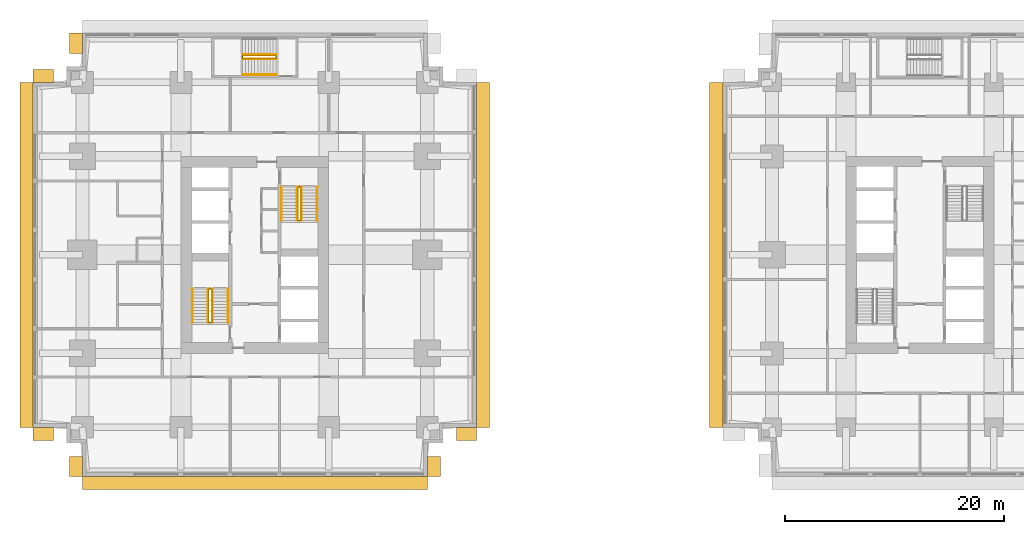
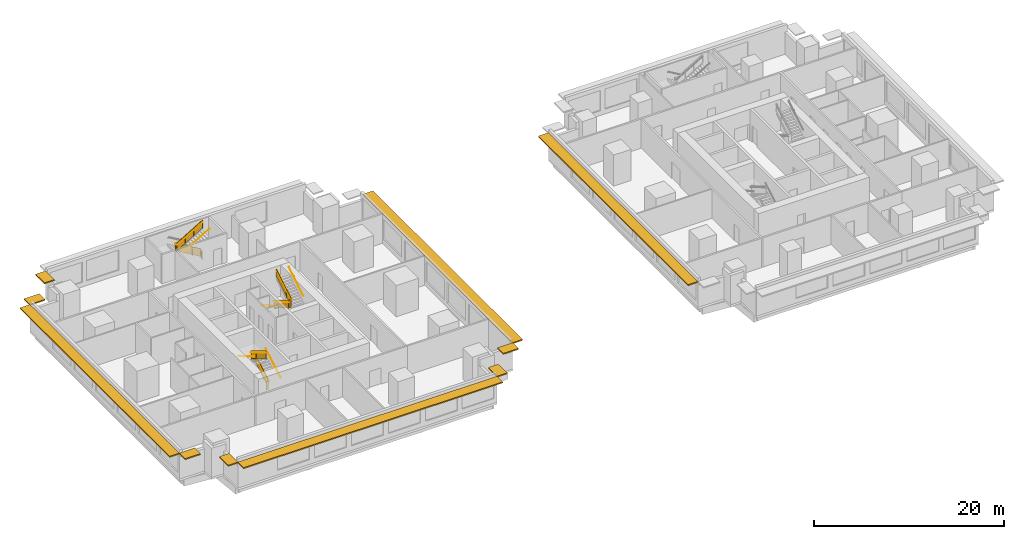
# One storey, part 9 of 11: 14 railings, 10 shading devices.
"""IFC4 building model written with IfcOpenShell, lengths in metres."""

from ifc_helpers import new_model, si_unit, direction, frame, origin, origin_2d, place, context, subcontext, project, spatial, polyline, rectangle, circle, outline, extrude, material, layer, layer_set, type_object, element, save


model = new_model("IFC4")

# Units and contexts
model_context = context("Model", 3, precision=1e-05, world=origin(), true_north=direction((0.0, 1.0)))
body_context = subcontext(model_context, "Body", "Model", "MODEL_VIEW")
ifc_project = project(units=[si_unit("LENGTHUNIT", "METRE"), si_unit("AREAUNIT", "SQUARE_METRE"), si_unit("VOLUMEUNIT", "CUBIC_METRE"), si_unit("PLANEANGLEUNIT", "RADIAN"), si_unit("MASSUNIT", "GRAM", prefix="KILO")], contexts=[model_context])

# Site, building, storey
site_placement = place(None, origin())
site = spatial("IfcSite", under=ifc_project, at=site_placement, CompositionType="ELEMENT")
building_placement = place(site_placement, origin())
building = spatial("IfcBuilding", under=site, at=building_placement, Name="Namib Vertical Campus", CompositionType="ELEMENT")
storey_placement = place(building_placement, frame((0.0, 0.0, 61.0)))
storey = spatial("IfcBuildingStorey", under=building, at=storey_placement, Name="L14", CompositionType="ELEMENT", Elevation=61.0)

# Railings
ifc_material_1 = material(Name="Steel handrail", Category="steel")
railing_type_1 = type_object("IfcRailingType", Name="Handrail 900", PredefinedType="HANDRAIL", material=ifc_material_1)
railing_1_placement = place(storey_placement, frame((17.800048828125, 14.050048828125, 0.166748046875)))
element("IfcRailing", 1, at=railing_1_placement, inside=storey, type_object=railing_type_1, Name="Handrail HR1 A-S1 L14 1", PredefinedType="HANDRAIL", context=body_context, shape_type="SweptSolid", body=[
    extrude(circle(Radius=0.02392578125, at=origin_2d()), frame((0.0, 0.0, 0.8759765625), z_axis=(0.0, 0.859290745958, 0.51148745235), x_axis=(-1.0, 0.0, 0.0)), (0.0, 0.0, 1.0), 3.584228515625),
    extrude(circle(Radius=0.008056640625, at=origin_2d()), frame((0.0, 0.0, 0.8759765625), z_axis=(1.0, 0.0, 0.0), x_axis=(0.0, 0.0, 1.0)), (0.0, 0.0, 1.0), 0.050048828125),
    extrude(circle(Radius=0.008056640625, at=origin_2d()), frame((0.0, 1.026611328125, 1.48681640625), z_axis=(1.0, 0.0, 0.0), x_axis=(0.0, 0.0, 1.0)), (0.0, 0.0, 1.0), 0.050048828125),
    extrude(circle(Radius=0.008056640625, at=origin_2d()), frame((0.0, 2.05322265625, 2.09814453125), z_axis=(1.0, 0.0, 0.0), x_axis=(0.0, 0.0, 1.0)), (0.0, 0.0, 1.0), 0.050048828125),
    extrude(circle(Radius=0.008056640625, at=origin_2d()), frame((0.0, 3.079833984375, 2.708984375), z_axis=(1.0, 0.0, 0.0), x_axis=(0.0, 0.0, 1.0)), (0.0, 0.0, 1.0), 0.050048828125),
])
railing_2_placement = place(storey_placement, frame((14.550048828125, 17.1298828125, 2.166748046875)))
element("IfcRailing", 2, at=railing_2_placement, inside=storey, type_object=railing_type_1, Name="Handrail HR1 A-S1 L14 2", PredefinedType="HANDRAIL", context=body_context, shape_type="SweptSolid", body=[
    extrude(circle(Radius=0.02392578125, at=origin_2d()), frame((0.0, 0.0, 0.8759765625), z_axis=(0.0, -0.859290745958, 0.51148745235), x_axis=(1.0, 0.0, 0.0)), (0.0, 0.0, 1.0), 3.584228515625),
    extrude(circle(Radius=0.008056640625, at=origin_2d()), frame((0.0, 0.0, 0.8759765625), z_axis=(-1.0, 0.0, 0.0), x_axis=(0.0, 0.0, 1.0)), (0.0, 0.0, 1.0), 0.050048828125),
    extrude(circle(Radius=0.008056640625, at=origin_2d()), frame((0.0, -1.026611328125, 1.48681640625), z_axis=(-1.0, 0.0, 0.0), x_axis=(0.0, 0.0, 1.0)), (0.0, 0.0, 1.0), 0.050048828125),
    extrude(circle(Radius=0.008056640625, at=origin_2d()), frame((0.0, -2.05322265625, 2.09814453125), z_axis=(-1.0, 0.0, 0.0), x_axis=(0.0, 0.0, 1.0)), (0.0, 0.0, 1.0), 0.050048828125),
    extrude(circle(Radius=0.008056640625, at=origin_2d()), frame((0.0, -3.079833984375, 2.708984375), z_axis=(-1.0, 0.0, 0.0), x_axis=(0.0, 0.0, 1.0)), (0.0, 0.0, 1.0), 0.050048828125),
])
railing_3_placement = place(storey_placement, frame((16.375, 14.050048828125, 0.166748046875)))
element("IfcRailing", 3, at=railing_3_placement, inside=storey, type_object=railing_type_1, Name="Handrail HR1 A-S1 L14 1 at the well", PredefinedType="HANDRAIL", context=body_context, shape_type="SweptSolid", body=[
    extrude(circle(Radius=0.02392578125, at=origin_2d()), frame((0.0, 0.0, 0.8759765625), z_axis=(0.0, 0.859290745958, 0.51148745235), x_axis=(-1.0, 0.0, 0.0)), (0.0, 0.0, 1.0), 3.584228515625),
    extrude(circle(Radius=0.008056640625, at=origin_2d()), frame((0.0, 0.0, 0.8759765625), z_axis=(-1.0, 0.0, 0.0), x_axis=(0.0, 0.0, 1.0)), (0.0, 0.0, 1.0), 0.0400390625),
    extrude(circle(Radius=0.008056640625, at=origin_2d()), frame((0.0, 1.026611328125, 1.48681640625), z_axis=(-1.0, 0.0, 0.0), x_axis=(0.0, 0.0, 1.0)), (0.0, 0.0, 1.0), 0.0400390625),
    extrude(circle(Radius=0.008056640625, at=origin_2d()), frame((0.0, 2.05322265625, 2.09814453125), z_axis=(-1.0, 0.0, 0.0), x_axis=(0.0, 0.0, 1.0)), (0.0, 0.0, 1.0), 0.0400390625),
    extrude(circle(Radius=0.008056640625, at=origin_2d()), frame((0.0, 3.079833984375, 2.708984375), z_axis=(-1.0, 0.0, 0.0), x_axis=(0.0, 0.0, 1.0)), (0.0, 0.0, 1.0), 0.0400390625),
])
railing_4_placement = place(storey_placement, frame((15.97509765625, 17.1298828125, 2.166748046875)))
element("IfcRailing", 4, at=railing_4_placement, inside=storey, type_object=railing_type_1, Name="Handrail HR1 A-S1 L14 2 at the well", PredefinedType="HANDRAIL", context=body_context, shape_type="SweptSolid", body=[
    extrude(circle(Radius=0.02392578125, at=origin_2d()), frame((0.0, 0.0, 0.8759765625), z_axis=(0.0, -0.859290745958, 0.51148745235), x_axis=(1.0, 0.0, 0.0)), (0.0, 0.0, 1.0), 3.584228515625),
    extrude(circle(Radius=0.008056640625, at=origin_2d()), frame((0.0, 0.0, 0.8759765625), z_axis=(1.0, 0.0, 0.0), x_axis=(0.0, 0.0, 1.0)), (0.0, 0.0, 1.0), 0.0400390625),
    extrude(circle(Radius=0.008056640625, at=origin_2d()), frame((0.0, -1.026611328125, 1.48681640625), z_axis=(1.0, 0.0, 0.0), x_axis=(0.0, 0.0, 1.0)), (0.0, 0.0, 1.0), 0.0400390625),
    extrude(circle(Radius=0.008056640625, at=origin_2d()), frame((0.0, -2.05322265625, 2.09814453125), z_axis=(1.0, 0.0, 0.0), x_axis=(0.0, 0.0, 1.0)), (0.0, 0.0, 1.0), 0.0400390625),
    extrude(circle(Radius=0.008056640625, at=origin_2d()), frame((0.0, -3.079833984375, 2.708984375), z_axis=(1.0, 0.0, 0.0), x_axis=(0.0, 0.0, 1.0)), (0.0, 0.0, 1.0), 0.0400390625),
])
railing_5_placement = place(storey_placement, frame((22.699951171875, 26.449951171875, 0.166748046875)))
element("IfcRailing", 5, at=railing_5_placement, inside=storey, type_object=railing_type_1, Name="Handrail HR1 A-S2 L14 1", PredefinedType="HANDRAIL", context=body_context, shape_type="SweptSolid", body=[
    extrude(circle(Radius=0.02392578125, at=origin_2d()), frame((0.0, 0.0, 0.8759765625), z_axis=(0.0, -0.859290745958, 0.51148745235), x_axis=(1.0, 0.0, 0.0)), (0.0, 0.0, 1.0), 3.584228515625),
    extrude(circle(Radius=0.008056640625, at=origin_2d()), frame((0.0, 0.0, 0.8759765625), z_axis=(-1.0, 0.0, 0.0), x_axis=(0.0, 0.0, 1.0)), (0.0, 0.0, 1.0), 0.050048828125),
    extrude(circle(Radius=0.008056640625, at=origin_2d()), frame((0.0, -1.026611328125, 1.48681640625), z_axis=(-1.0, 0.0, 0.0), x_axis=(0.0, 0.0, 1.0)), (0.0, 0.0, 1.0), 0.050048828125),
    extrude(circle(Radius=0.008056640625, at=origin_2d()), frame((0.0, -2.05322265625, 2.09814453125), z_axis=(-1.0, 0.0, 0.0), x_axis=(0.0, 0.0, 1.0)), (0.0, 0.0, 1.0), 0.050048828125),
    extrude(circle(Radius=0.008056640625, at=origin_2d()), frame((0.0, -3.079833984375, 2.708984375), z_axis=(-1.0, 0.0, 0.0), x_axis=(0.0, 0.0, 1.0)), (0.0, 0.0, 1.0), 0.050048828125),
])
railing_6_placement = place(storey_placement, frame((25.949951171875, 23.3701171875, 2.166748046875)))
element("IfcRailing", 6, at=railing_6_placement, inside=storey, type_object=railing_type_1, Name="Handrail HR1 A-S2 L14 2", PredefinedType="HANDRAIL", context=body_context, shape_type="SweptSolid", body=[
    extrude(circle(Radius=0.02392578125, at=origin_2d()), frame((0.0, 0.0, 0.8759765625), z_axis=(0.0, 0.859290745958, 0.51148745235), x_axis=(-1.0, 0.0, 0.0)), (0.0, 0.0, 1.0), 3.584228515625),
    extrude(circle(Radius=0.008056640625, at=origin_2d()), frame((0.0, 0.0, 0.8759765625), z_axis=(1.0, 0.0, 0.0), x_axis=(0.0, 0.0, 1.0)), (0.0, 0.0, 1.0), 0.050048828125),
    extrude(circle(Radius=0.008056640625, at=origin_2d()), frame((0.0, 1.026611328125, 1.48681640625), z_axis=(1.0, 0.0, 0.0), x_axis=(0.0, 0.0, 1.0)), (0.0, 0.0, 1.0), 0.050048828125),
    extrude(circle(Radius=0.008056640625, at=origin_2d()), frame((0.0, 2.05322265625, 2.09814453125), z_axis=(1.0, 0.0, 0.0), x_axis=(0.0, 0.0, 1.0)), (0.0, 0.0, 1.0), 0.050048828125),
    extrude(circle(Radius=0.008056640625, at=origin_2d()), frame((0.0, 3.079833984375, 2.708984375), z_axis=(1.0, 0.0, 0.0), x_axis=(0.0, 0.0, 1.0)), (0.0, 0.0, 1.0), 0.050048828125),
])
railing_7_placement = place(storey_placement, frame((24.125, 26.449951171875, 0.166748046875)))
element("IfcRailing", 7, at=railing_7_placement, inside=storey, type_object=railing_type_1, Name="Handrail HR1 A-S2 L14 1 at the well", PredefinedType="HANDRAIL", context=body_context, shape_type="SweptSolid", body=[
    extrude(circle(Radius=0.02392578125, at=origin_2d()), frame((0.0, 0.0, 0.8759765625), z_axis=(0.0, -0.859290745958, 0.51148745235), x_axis=(1.0, 0.0, 0.0)), (0.0, 0.0, 1.0), 3.584228515625),
    extrude(circle(Radius=0.008056640625, at=origin_2d()), frame((0.0, 0.0, 0.8759765625), z_axis=(1.0, 0.0, 0.0), x_axis=(0.0, 0.0, 1.0)), (0.0, 0.0, 1.0), 0.0400390625),
    extrude(circle(Radius=0.008056640625, at=origin_2d()), frame((0.0, -1.026611328125, 1.48681640625), z_axis=(1.0, 0.0, 0.0), x_axis=(0.0, 0.0, 1.0)), (0.0, 0.0, 1.0), 0.0400390625),
    extrude(circle(Radius=0.008056640625, at=origin_2d()), frame((0.0, -2.05322265625, 2.09814453125), z_axis=(1.0, 0.0, 0.0), x_axis=(0.0, 0.0, 1.0)), (0.0, 0.0, 1.0), 0.0400390625),
    extrude(circle(Radius=0.008056640625, at=origin_2d()), frame((0.0, -3.079833984375, 2.708984375), z_axis=(1.0, 0.0, 0.0), x_axis=(0.0, 0.0, 1.0)), (0.0, 0.0, 1.0), 0.0400390625),
])
railing_8_placement = place(storey_placement, frame((24.52490234375, 23.3701171875, 2.166748046875)))
element("IfcRailing", 8, at=railing_8_placement, inside=storey, type_object=railing_type_1, Name="Handrail HR1 A-S2 L14 2 at the well", PredefinedType="HANDRAIL", context=body_context, shape_type="SweptSolid", body=[
    extrude(circle(Radius=0.02392578125, at=origin_2d()), frame((0.0, 0.0, 0.8759765625), z_axis=(0.0, 0.859290745958, 0.51148745235), x_axis=(-1.0, 0.0, 0.0)), (0.0, 0.0, 1.0), 3.584228515625),
    extrude(circle(Radius=0.008056640625, at=origin_2d()), frame((0.0, 0.0, 0.8759765625), z_axis=(-1.0, 0.0, 0.0), x_axis=(0.0, 0.0, 1.0)), (0.0, 0.0, 1.0), 0.0400390625),
    extrude(circle(Radius=0.008056640625, at=origin_2d()), frame((0.0, 1.026611328125, 1.48681640625), z_axis=(-1.0, 0.0, 0.0), x_axis=(0.0, 0.0, 1.0)), (0.0, 0.0, 1.0), 0.0400390625),
    extrude(circle(Radius=0.008056640625, at=origin_2d()), frame((0.0, 2.05322265625, 2.09814453125), z_axis=(-1.0, 0.0, 0.0), x_axis=(0.0, 0.0, 1.0)), (0.0, 0.0, 1.0), 0.0400390625),
    extrude(circle(Radius=0.008056640625, at=origin_2d()), frame((0.0, 3.079833984375, 2.708984375), z_axis=(-1.0, 0.0, 0.0), x_axis=(0.0, 0.0, 1.0)), (0.0, 0.0, 1.0), 0.0400390625),
])
railing_9_placement = place(storey_placement, frame((19.1201171875, 36.699951171875, 2.166748046875)))
element("IfcRailing", 9, at=railing_9_placement, inside=storey, type_object=railing_type_1, Name="Handrail HR1 A-S3 L14 2", PredefinedType="HANDRAIL", context=body_context, shape_type="SweptSolid", body=[
    extrude(circle(Radius=0.02392578125, at=origin_2d()), frame((0.0, 0.0, 0.8759765625), z_axis=(0.859290745958, 0.0, 0.51148745235), x_axis=(0.0, 1.0, 0.0)), (0.0, 0.0, 1.0), 3.584228515625),
    extrude(circle(Radius=0.008056640625, at=origin_2d()), frame((0.0, 0.0, 0.8759765625), z_axis=(0.0, -1.0, 0.0), x_axis=(0.0, 0.0, 1.0)), (0.0, 0.0, 1.0), 0.050048828125),
    extrude(circle(Radius=0.008056640625, at=origin_2d()), frame((1.026611328125, 0.0, 1.48681640625), z_axis=(0.0, -1.0, 0.0), x_axis=(0.0, 0.0, 1.0)), (0.0, 0.0, 1.0), 0.050048828125),
    extrude(circle(Radius=0.008056640625, at=origin_2d()), frame((2.05322265625, 0.0, 2.09814453125), z_axis=(0.0, -1.0, 0.0), x_axis=(0.0, 0.0, 1.0)), (0.0, 0.0, 1.0), 0.050048828125),
    extrude(circle(Radius=0.008056640625, at=origin_2d()), frame((3.079833984375, 0.0, 2.708984375), z_axis=(0.0, -1.0, 0.0), x_axis=(0.0, 0.0, 1.0)), (0.0, 0.0, 1.0), 0.050048828125),
])
railing_10_placement = place(storey_placement, frame((22.199951171875, 38.52490234375, 0.166748046875)))
element("IfcRailing", 10, at=railing_10_placement, inside=storey, type_object=railing_type_1, Name="Handrail HR1 A-S3 L14 1 at the well", PredefinedType="HANDRAIL", context=body_context, shape_type="SweptSolid", body=[
    extrude(circle(Radius=0.02392578125, at=origin_2d()), frame((0.0, 0.0, 0.8759765625), z_axis=(-0.859290745958, 0.0, 0.51148745235), x_axis=(0.0, -1.0, 0.0)), (0.0, 0.0, 1.0), 3.584228515625),
    extrude(circle(Radius=0.008056640625, at=origin_2d()), frame((0.0, 0.0, 0.8759765625), z_axis=(0.0, -1.0, 0.0), x_axis=(0.0, 0.0, 1.0)), (0.0, 0.0, 1.0), 0.0400390625),
    extrude(circle(Radius=0.008056640625, at=origin_2d()), frame((-1.026611328125, 0.0, 1.48681640625), z_axis=(0.0, -1.0, 0.0), x_axis=(0.0, 0.0, 1.0)), (0.0, 0.0, 1.0), 0.0400390625),
    extrude(circle(Radius=0.008056640625, at=origin_2d()), frame((-2.05322265625, 0.0, 2.09814453125), z_axis=(0.0, -1.0, 0.0), x_axis=(0.0, 0.0, 1.0)), (0.0, 0.0, 1.0), 0.0400390625),
    extrude(circle(Radius=0.008056640625, at=origin_2d()), frame((-3.079833984375, 0.0, 2.708984375), z_axis=(0.0, -1.0, 0.0), x_axis=(0.0, 0.0, 1.0)), (0.0, 0.0, 1.0), 0.0400390625),
])
railing_11_placement = place(storey_placement, frame((19.1201171875, 38.125, 2.166748046875)))
element("IfcRailing", 11, at=railing_11_placement, inside=storey, type_object=railing_type_1, Name="Handrail HR1 A-S3 L14 2 at the well", PredefinedType="HANDRAIL", context=body_context, shape_type="SweptSolid", body=[
    extrude(circle(Radius=0.02392578125, at=origin_2d()), frame((0.0, 0.0, 0.8759765625), z_axis=(0.859290745958, 0.0, 0.51148745235), x_axis=(0.0, 1.0, 0.0)), (0.0, 0.0, 1.0), 3.584228515625),
    extrude(circle(Radius=0.008056640625, at=origin_2d()), frame((0.0, 0.0, 0.8759765625), z_axis=(0.0, 1.0, 0.0), x_axis=(0.0, 0.0, 1.0)), (0.0, 0.0, 1.0), 0.0400390625),
    extrude(circle(Radius=0.008056640625, at=origin_2d()), frame((1.026611328125, 0.0, 1.48681640625), z_axis=(0.0, 1.0, 0.0), x_axis=(0.0, 0.0, 1.0)), (0.0, 0.0, 1.0), 0.0400390625),
    extrude(circle(Radius=0.008056640625, at=origin_2d()), frame((2.05322265625, 0.0, 2.09814453125), z_axis=(0.0, 1.0, 0.0), x_axis=(0.0, 0.0, 1.0)), (0.0, 0.0, 1.0), 0.0400390625),
    extrude(circle(Radius=0.008056640625, at=origin_2d()), frame((3.079833984375, 0.0, 2.708984375), z_axis=(0.0, 1.0, 0.0), x_axis=(0.0, 0.0, 1.0)), (0.0, 0.0, 1.0), 0.0400390625),
])
ifc_material_2 = material(Name="Steel balustrade", Category="steel")
railing_type_2 = type_object("IfcRailingType", Name="Stair guard 1100", PredefinedType="GUARDRAIL", material=ifc_material_2)
railing_12_placement = place(storey_placement, frame((16.02490234375, 14.050048828125, 0.0)))
element("IfcRailing", 12, at=railing_12_placement, inside=storey, type_object=railing_type_2, Name="Stair guard GR1 A-S1 L14", PredefinedType="GUARDRAIL", context=body_context, shape_type="SweptSolid", body=[
    extrude(circle(Radius=0.02392578125, at=origin_2d()), frame((0.0, 0.0, 1.076171875), z_axis=(1.0, 0.0, 0.0), x_axis=(0.0, 1.0, 0.0)), (0.0, 0.0, 1.0), 0.300048828125),
    extrude(outline(polyline([(0.02099609375, 0.050048828125), (0.279052734375, 0.050048828125), (0.279052734375, 1.052001953125), (0.02099609375, 1.052001953125), (0.02099609375, 0.050048828125)])), frame((0.0, 0.010009765625, 0.0), z_axis=(0.0, -1.0, 0.0), x_axis=(1.0, 0.0, 0.0)), (0.0, 0.0, 1.0), 0.02001953125),
    extrude(circle(Radius=0.02392578125, at=origin_2d()), frame((0.300048828125, 0.0, 1.076171875), z_axis=(0.0, 0.0, 1.0), x_axis=(1.0, 0.0, 0.0)), (0.0, 0.0, 1.0), 0.166748046875),
    extrude(circle(Radius=0.02392578125, at=origin_2d()), frame((0.300048828125, 0.0, 1.24267578125), z_axis=(0.0, 0.859290745958, 0.51148745235), x_axis=(-1.0, 0.0, 0.0)), (0.0, 0.0, 1.0), 3.584228515625),
    extrude(outline(polyline([(0.02099609375, 0.0625), (3.058837890625, 1.870849609375), (3.058837890625, 2.872802734375), (0.02099609375, 1.064453125), (0.02099609375, 0.0625)])), frame((0.2900390625, 0.0, 0.166748046875), z_axis=(1.0, 0.0, 0.0), x_axis=(0.0, 1.0, 0.0)), (0.0, 0.0, 1.0), 0.02001953125),
    extrude(circle(Radius=0.02392578125, at=origin_2d()), frame((0.300048828125, 3.079833984375, 3.076171875), z_axis=(-1.0, 0.0, 0.0), x_axis=(0.0, -1.0, 0.0)), (0.0, 0.0, 1.0), 0.300048828125),
    extrude(outline(polyline([(0.02099609375, 0.050048828125), (0.279052734375, 0.050048828125), (0.279052734375, 1.052001953125), (0.02099609375, 1.052001953125), (0.02099609375, 0.050048828125)])), frame((0.300048828125, 3.06982421875, 2.0), z_axis=(0.0, 1.0, 0.0), x_axis=(-1.0, 0.0, 0.0)), (0.0, 0.0, 1.0), 0.02001953125),
    extrude(circle(Radius=0.02392578125, at=origin_2d()), frame((0.0, 3.079833984375, 3.076171875), z_axis=(0.0, 0.0, 1.0), x_axis=(1.0, 0.0, 0.0)), (0.0, 0.0, 1.0), 0.166748046875),
    extrude(circle(Radius=0.02392578125, at=origin_2d()), frame((0.0, 3.079833984375, 3.24267578125), z_axis=(0.0, -0.859290745958, 0.51148745235), x_axis=(1.0, 0.0, 0.0)), (0.0, 0.0, 1.0), 3.584228515625),
    extrude(outline(polyline([(0.02099609375, 0.0625), (3.058837890625, 1.870849609375), (3.058837890625, 2.872802734375), (0.02099609375, 1.064453125), (0.02099609375, 0.0625)])), frame((0.010009765625, 3.079833984375, 2.166748046875), z_axis=(-1.0, 0.0, 0.0), x_axis=(0.0, -1.0, 0.0)), (0.0, 0.0, 1.0), 0.02001953125),
    extrude(circle(Radius=0.02392578125, at=origin_2d()), frame((0.0, 0.0, 5.076171875), z_axis=(0.0, -1.0, 0.0), x_axis=(1.0, 0.0, 0.0)), (0.0, 0.0, 1.0), 0.050048828125),
    extrude(outline(polyline([(0.02099609375, 0.050048828125), (0.029052734375, 0.050048828125), (0.029052734375, 1.052001953125), (0.02099609375, 1.052001953125), (0.02099609375, 0.050048828125)])), frame((0.010009765625, 0.0, 4.0), z_axis=(-1.0, 0.0, 0.0), x_axis=(0.0, -1.0, 0.0)), (0.0, 0.0, 1.0), 0.02001953125),
    extrude(circle(Radius=0.02099609375, at=origin_2d()), origin(), (0.0, 0.0, 1.0), 1.052001953125),
    extrude(circle(Radius=0.02099609375, at=origin_2d()), frame((0.300048828125, 0.0, 0.166748046875)), (0.0, 0.0, 1.0), 1.052001953125),
    extrude(circle(Radius=0.02099609375, at=origin_2d()), frame((0.300048828125, 1.026611328125, 0.666748046875)), (0.0, 0.0, 1.0), 1.1630859375),
    extrude(circle(Radius=0.02099609375, at=origin_2d()), frame((0.300048828125, 2.05322265625, 1.33349609375)), (0.0, 0.0, 1.0), 1.107421875),
    extrude(circle(Radius=0.02099609375, at=origin_2d()), frame((0.300048828125, 3.079833984375, 2.0)), (0.0, 0.0, 1.0), 1.052001953125),
    extrude(circle(Radius=0.02099609375, at=origin_2d()), frame((0.0, 3.079833984375, 2.166748046875)), (0.0, 0.0, 1.0), 1.052001953125),
    extrude(circle(Radius=0.02099609375, at=origin_2d()), frame((0.0, 2.05322265625, 2.666748046875)), (0.0, 0.0, 1.0), 1.1630859375),
    extrude(circle(Radius=0.02099609375, at=origin_2d()), frame((0.0, 1.026611328125, 3.33349609375)), (0.0, 0.0, 1.0), 1.107421875),
    extrude(circle(Radius=0.02099609375, at=origin_2d()), frame((0.0, 0.0, 4.0)), (0.0, 0.0, 1.0), 1.052001953125),
    extrude(circle(Radius=0.02099609375, at=origin_2d()), frame((0.0, -0.050048828125, 4.0)), (0.0, 0.0, 1.0), 1.052001953125),
])
railing_13_placement = place(storey_placement, frame((24.47509765625, 26.449951171875, 0.0)))
element("IfcRailing", 13, at=railing_13_placement, inside=storey, type_object=railing_type_2, Name="Stair guard GR1 A-S2 L14", PredefinedType="GUARDRAIL", context=body_context, shape_type="SweptSolid", body=[
    extrude(circle(Radius=0.02392578125, at=origin_2d()), frame((0.0, 0.0, 1.076171875), z_axis=(-1.0, 0.0, 0.0), x_axis=(0.0, -1.0, 0.0)), (0.0, 0.0, 1.0), 0.300048828125),
    extrude(outline(polyline([(0.02099609375, 0.050048828125), (0.279052734375, 0.050048828125), (0.279052734375, 1.052001953125), (0.02099609375, 1.052001953125), (0.02099609375, 0.050048828125)])), frame((0.0, -0.010009765625, 0.0), z_axis=(0.0, 1.0, 0.0), x_axis=(-1.0, 0.0, 0.0)), (0.0, 0.0, 1.0), 0.02001953125),
    extrude(circle(Radius=0.02392578125, at=origin_2d()), frame((-0.300048828125, 0.0, 1.076171875), z_axis=(0.0, 0.0, 1.0), x_axis=(1.0, 0.0, 0.0)), (0.0, 0.0, 1.0), 0.166748046875),
    extrude(circle(Radius=0.02392578125, at=origin_2d()), frame((-0.300048828125, 0.0, 1.24267578125), z_axis=(0.0, -0.859290745958, 0.51148745235), x_axis=(1.0, 0.0, 0.0)), (0.0, 0.0, 1.0), 3.584228515625),
    extrude(outline(polyline([(0.02099609375, 0.0625), (3.058837890625, 1.870849609375), (3.058837890625, 2.872802734375), (0.02099609375, 1.064453125), (0.02099609375, 0.0625)])), frame((-0.2900390625, 0.0, 0.166748046875), z_axis=(-1.0, 0.0, 0.0), x_axis=(0.0, -1.0, 0.0)), (0.0, 0.0, 1.0), 0.02001953125),
    extrude(circle(Radius=0.02392578125, at=origin_2d()), frame((-0.300048828125, -3.079833984375, 3.076171875), z_axis=(1.0, 0.0, 0.0), x_axis=(0.0, 1.0, 0.0)), (0.0, 0.0, 1.0), 0.300048828125),
    extrude(outline(polyline([(0.02099609375, 0.050048828125), (0.279052734375, 0.050048828125), (0.279052734375, 1.052001953125), (0.02099609375, 1.052001953125), (0.02099609375, 0.050048828125)])), frame((-0.300048828125, -3.06982421875, 2.0), z_axis=(0.0, -1.0, 0.0), x_axis=(1.0, 0.0, 0.0)), (0.0, 0.0, 1.0), 0.02001953125),
    extrude(circle(Radius=0.02392578125, at=origin_2d()), frame((0.0, -3.079833984375, 3.076171875), z_axis=(0.0, 0.0, 1.0), x_axis=(1.0, 0.0, 0.0)), (0.0, 0.0, 1.0), 0.166748046875),
    extrude(circle(Radius=0.02392578125, at=origin_2d()), frame((0.0, -3.079833984375, 3.24267578125), z_axis=(0.0, 0.859290745958, 0.51148745235), x_axis=(-1.0, 0.0, 0.0)), (0.0, 0.0, 1.0), 3.584228515625),
    extrude(outline(polyline([(0.02099609375, 0.0625), (3.058837890625, 1.870849609375), (3.058837890625, 2.872802734375), (0.02099609375, 1.064453125), (0.02099609375, 0.0625)])), frame((-0.010009765625, -3.079833984375, 2.166748046875), z_axis=(1.0, 0.0, 0.0), x_axis=(0.0, 1.0, 0.0)), (0.0, 0.0, 1.0), 0.02001953125),
    extrude(circle(Radius=0.02392578125, at=origin_2d()), frame((0.0, 0.0, 5.076171875), z_axis=(0.0, 1.0, 0.0), x_axis=(-1.0, 0.0, 0.0)), (0.0, 0.0, 1.0), 0.050048828125),
    extrude(outline(polyline([(0.02099609375, 0.050048828125), (0.029052734375, 0.050048828125), (0.029052734375, 1.052001953125), (0.02099609375, 1.052001953125), (0.02099609375, 0.050048828125)])), frame((-0.010009765625, 0.0, 4.0), z_axis=(1.0, 0.0, 0.0), x_axis=(0.0, 1.0, 0.0)), (0.0, 0.0, 1.0), 0.02001953125),
    extrude(circle(Radius=0.02099609375, at=origin_2d()), origin(), (0.0, 0.0, 1.0), 1.052001953125),
    extrude(circle(Radius=0.02099609375, at=origin_2d()), frame((-0.300048828125, 0.0, 0.166748046875)), (0.0, 0.0, 1.0), 1.052001953125),
    extrude(circle(Radius=0.02099609375, at=origin_2d()), frame((-0.300048828125, -1.026611328125, 0.666748046875)), (0.0, 0.0, 1.0), 1.1630859375),
    extrude(circle(Radius=0.02099609375, at=origin_2d()), frame((-0.300048828125, -2.05322265625, 1.33349609375)), (0.0, 0.0, 1.0), 1.107421875),
    extrude(circle(Radius=0.02099609375, at=origin_2d()), frame((-0.300048828125, -3.079833984375, 2.0)), (0.0, 0.0, 1.0), 1.052001953125),
    extrude(circle(Radius=0.02099609375, at=origin_2d()), frame((0.0, -3.079833984375, 2.166748046875)), (0.0, 0.0, 1.0), 1.052001953125),
    extrude(circle(Radius=0.02099609375, at=origin_2d()), frame((0.0, -2.05322265625, 2.666748046875)), (0.0, 0.0, 1.0), 1.1630859375),
    extrude(circle(Radius=0.02099609375, at=origin_2d()), frame((0.0, -1.026611328125, 3.33349609375)), (0.0, 0.0, 1.0), 1.107421875),
    extrude(circle(Radius=0.02099609375, at=origin_2d()), frame((0.0, 0.0, 4.0)), (0.0, 0.0, 1.0), 1.052001953125),
    extrude(circle(Radius=0.02099609375, at=origin_2d()), frame((0.0, 0.050048828125, 4.0)), (0.0, 0.0, 1.0), 1.052001953125),
])
railing_14_placement = place(storey_placement, frame((22.199951171875, 38.175048828125, 0.0)))
element("IfcRailing", 14, at=railing_14_placement, inside=storey, type_object=railing_type_2, Name="Stair guard GR1 A-S3 L14", PredefinedType="GUARDRAIL", context=body_context, shape_type="SweptSolid", body=[
    extrude(circle(Radius=0.02392578125, at=origin_2d()), frame((0.0, 0.0, 1.076171875), z_axis=(0.0, 1.0, 0.0), x_axis=(-1.0, 0.0, 0.0)), (0.0, 0.0, 1.0), 0.300048828125),
    extrude(outline(polyline([(0.02099609375, 0.050048828125), (0.279052734375, 0.050048828125), (0.279052734375, 1.052001953125), (0.02099609375, 1.052001953125), (0.02099609375, 0.050048828125)])), frame((-0.010009765625, 0.0, 0.0), z_axis=(1.0, 0.0, 0.0), x_axis=(0.0, 1.0, 0.0)), (0.0, 0.0, 1.0), 0.02001953125),
    extrude(circle(Radius=0.02392578125, at=origin_2d()), frame((0.0, 0.300048828125, 1.076171875), z_axis=(0.0, 0.0, 1.0), x_axis=(1.0, 0.0, 0.0)), (0.0, 0.0, 1.0), 0.166748046875),
    extrude(circle(Radius=0.02392578125, at=origin_2d()), frame((0.0, 0.300048828125, 1.24267578125), z_axis=(-0.859290745958, 0.0, 0.51148745235), x_axis=(0.0, -1.0, 0.0)), (0.0, 0.0, 1.0), 3.584228515625),
    extrude(outline(polyline([(0.02099609375, 0.0625), (3.058837890625, 1.870849609375), (3.058837890625, 2.872802734375), (0.02099609375, 1.064453125), (0.02099609375, 0.0625)])), frame((0.0, 0.2900390625, 0.166748046875), z_axis=(0.0, 1.0, 0.0), x_axis=(-1.0, 0.0, 0.0)), (0.0, 0.0, 1.0), 0.02001953125),
    extrude(circle(Radius=0.02392578125, at=origin_2d()), frame((-3.079833984375, 0.300048828125, 3.076171875), z_axis=(0.0, -1.0, 0.0), x_axis=(1.0, 0.0, 0.0)), (0.0, 0.0, 1.0), 0.300048828125),
    extrude(outline(polyline([(0.02099609375, 0.050048828125), (0.279052734375, 0.050048828125), (0.279052734375, 1.052001953125), (0.02099609375, 1.052001953125), (0.02099609375, 0.050048828125)])), frame((-3.06982421875, 0.300048828125, 2.0), z_axis=(-1.0, 0.0, 0.0), x_axis=(0.0, -1.0, 0.0)), (0.0, 0.0, 1.0), 0.02001953125),
    extrude(circle(Radius=0.02392578125, at=origin_2d()), frame((-3.079833984375, 0.0, 3.076171875), z_axis=(0.0, 0.0, 1.0), x_axis=(1.0, 0.0, 0.0)), (0.0, 0.0, 1.0), 0.166748046875),
    extrude(circle(Radius=0.02392578125, at=origin_2d()), frame((-3.079833984375, 0.0, 3.24267578125), z_axis=(0.859290745958, 0.0, 0.51148745235), x_axis=(0.0, 1.0, 0.0)), (0.0, 0.0, 1.0), 3.584228515625),
    extrude(outline(polyline([(0.02099609375, 0.0625), (3.058837890625, 1.870849609375), (3.058837890625, 2.872802734375), (0.02099609375, 1.064453125), (0.02099609375, 0.0625)])), frame((-3.079833984375, 0.010009765625, 2.166748046875), z_axis=(0.0, -1.0, 0.0), x_axis=(1.0, 0.0, 0.0)), (0.0, 0.0, 1.0), 0.02001953125),
    extrude(circle(Radius=0.02392578125, at=origin_2d()), frame((0.0, 0.0, 5.076171875), z_axis=(1.0, 0.0, 0.0), x_axis=(0.0, 1.0, 0.0)), (0.0, 0.0, 1.0), 0.050048828125),
    extrude(outline(polyline([(0.02099609375, 0.050048828125), (0.029052734375, 0.050048828125), (0.029052734375, 1.052001953125), (0.02099609375, 1.052001953125), (0.02099609375, 0.050048828125)])), frame((0.0, 0.010009765625, 4.0), z_axis=(0.0, -1.0, 0.0), x_axis=(1.0, 0.0, 0.0)), (0.0, 0.0, 1.0), 0.02001953125),
    extrude(circle(Radius=0.02099609375, at=origin_2d()), origin(), (0.0, 0.0, 1.0), 1.052001953125),
    extrude(circle(Radius=0.02099609375, at=origin_2d()), frame((0.0, 0.300048828125, 0.166748046875)), (0.0, 0.0, 1.0), 1.052001953125),
    extrude(circle(Radius=0.02099609375, at=origin_2d()), frame((-1.026611328125, 0.300048828125, 0.666748046875)), (0.0, 0.0, 1.0), 1.1630859375),
    extrude(circle(Radius=0.02099609375, at=origin_2d()), frame((-2.05322265625, 0.300048828125, 1.33349609375)), (0.0, 0.0, 1.0), 1.107421875),
    extrude(circle(Radius=0.02099609375, at=origin_2d()), frame((-3.079833984375, 0.300048828125, 2.0)), (0.0, 0.0, 1.0), 1.052001953125),
    extrude(circle(Radius=0.02099609375, at=origin_2d()), frame((-3.079833984375, 0.0, 2.166748046875)), (0.0, 0.0, 1.0), 1.052001953125),
    extrude(circle(Radius=0.02099609375, at=origin_2d()), frame((-2.05322265625, 0.0, 2.666748046875)), (0.0, 0.0, 1.0), 1.1630859375),
    extrude(circle(Radius=0.02099609375, at=origin_2d()), frame((-1.026611328125, 0.0, 3.33349609375)), (0.0, 0.0, 1.0), 1.107421875),
    extrude(circle(Radius=0.02099609375, at=origin_2d()), frame((0.0, 0.0, 4.0)), (0.0, 0.0, 1.0), 1.052001953125),
    extrude(circle(Radius=0.02099609375, at=origin_2d()), frame((0.050048828125, 0.0, 4.0)), (0.0, 0.0, 1.0), 1.052001953125),
])

# Shading devices
ifc_material_3 = material(Name="Concrete C40/50 precast", Category="concrete")
ifc_layer = layer(ifc_material_3, 0.14990234375)
ifc_layer_set = layer_set([ifc_layer], Name="Concrete C40/50 precast")
shading_device_type = type_object("IfcShadingDeviceType", Name="Sunshade hood 1200", PredefinedType="SHUTTER", material=ifc_layer_set)
shading_device_1_placement = place(storey_placement, frame((20.25, -0.60009765625, 3.199951171875), z_axis=(0.0, 0.0, 1.0), x_axis=(1.0, 0.0, 0.0)))
element("IfcShadingDevice", 15, at=shading_device_1_placement, inside=storey, type_object=shading_device_type, Name="Sunshade SH2 L14 1", PredefinedType="SHUTTER", context=body_context, shape_type="SweptSolid", body=[
    extrude(rectangle(XDim=31.5, YDim=1.199951171875, at=origin_2d()), origin(), (0.0, 0.0, 1.0), 0.14990234375),
])
for number, where, z_axis, x_axis, name in (
    (16, (36.60009765625, 0.925048828125, 3.199951171875), (0.0, 0.0, 1.0), (0.0, 1.0, 0.0), "Sunshade SH2 L14 2"),
    (17, (39.574951171875, 3.89990234375, 3.199951171875), (0.0, 0.0, 1.0), (1.0, 0.0, 0.0), "Sunshade SH2 L14 5"),
):
    element("IfcShadingDevice", number, at=place(storey_placement, frame(where, z_axis=z_axis, x_axis=x_axis)), inside=storey, type_object=shading_device_type, Name=name, PredefinedType="SHUTTER", context=body_context, shape_type="SweptSolid", body=[
        extrude(rectangle(XDim=1.85009765625, YDim=1.199951171875, at=origin_2d()), origin(), (0.0, 0.0, 1.0), 0.14990234375),
    ])
shading_device_2_placement = place(storey_placement, frame((41.10009765625, 20.25, 3.199951171875), z_axis=(0.0, 0.0, 1.0), x_axis=(0.0, 1.0, 0.0)))
element("IfcShadingDevice", 18, at=shading_device_2_placement, inside=storey, type_object=shading_device_type, Name="Sunshade SH2 L14 6", PredefinedType="SHUTTER", context=body_context, shape_type="SweptSolid", body=[
    extrude(rectangle(XDim=31.5, YDim=1.199951171875, at=origin_2d()), origin(), (0.0, 0.0, 1.0), 0.14990234375),
])
for number, where, z_axis, x_axis, name in (
    (19, (3.89990234375, 39.574951171875, 3.199951171875), (0.0, 0.0, 1.0), (0.0, -1.0, 0.0), "Sunshade SH2 L14 12"),
    (20, (0.925048828125, 36.60009765625, 3.199951171875), (0.0, 0.0, 1.0), (-1.0, 0.0, 0.0), "Sunshade SH2 L14 15"),
):
    element("IfcShadingDevice", number, at=place(storey_placement, frame(where, z_axis=z_axis, x_axis=x_axis)), inside=storey, type_object=shading_device_type, Name=name, PredefinedType="SHUTTER", context=body_context, shape_type="SweptSolid", body=[
        extrude(rectangle(XDim=1.85009765625, YDim=1.199951171875, at=origin_2d()), origin(), (0.0, 0.0, 1.0), 0.14990234375),
    ])
shading_device_3_placement = place(storey_placement, frame((-0.60009765625, 20.25, 3.199951171875), z_axis=(0.0, 0.0, 1.0), x_axis=(0.0, -1.0, 0.0)))
element("IfcShadingDevice", 21, at=shading_device_3_placement, inside=storey, type_object=shading_device_type, Name="Sunshade SH2 L14 16", PredefinedType="SHUTTER", context=body_context, shape_type="SweptSolid", body=[
    extrude(rectangle(XDim=31.5, YDim=1.199951171875, at=origin_2d()), origin(), (0.0, 0.0, 1.0), 0.14990234375),
])
for number, where, z_axis, x_axis, name in (
    (22, (0.925048828125, 3.89990234375, 3.199951171875), (0.0, 0.0, 1.0), (1.0, 0.0, 0.0), "Sunshade SH2 L14 17"),
    (23, (3.89990234375, 0.925048828125, 3.199951171875), (0.0, 0.0, 1.0), (0.0, -1.0, 0.0), "Sunshade SH2 L14 20"),
):
    element("IfcShadingDevice", number, at=place(storey_placement, frame(where, z_axis=z_axis, x_axis=x_axis)), inside=storey, type_object=shading_device_type, Name=name, PredefinedType="SHUTTER", context=body_context, shape_type="SweptSolid", body=[
        extrude(rectangle(XDim=1.85009765625, YDim=1.199951171875, at=origin_2d()), origin(), (0.0, 0.0, 1.0), 0.14990234375),
    ])
shading_device_4_placement = place(storey_placement, frame((62.39990234375, 20.25, 3.199951171875), z_axis=(0.0, 0.0, 1.0), x_axis=(0.0, -1.0, 0.0)))
element("IfcShadingDevice", 24, at=shading_device_4_placement, inside=storey, type_object=shading_device_type, Name="Sunshade SH2 L14 16", PredefinedType="SHUTTER", context=body_context, shape_type="SweptSolid", body=[
    extrude(rectangle(XDim=31.5, YDim=1.199951171875, at=origin_2d()), origin(), (0.0, 0.0, 1.0), 0.14990234375),
])

save(model, "model.ifc")
